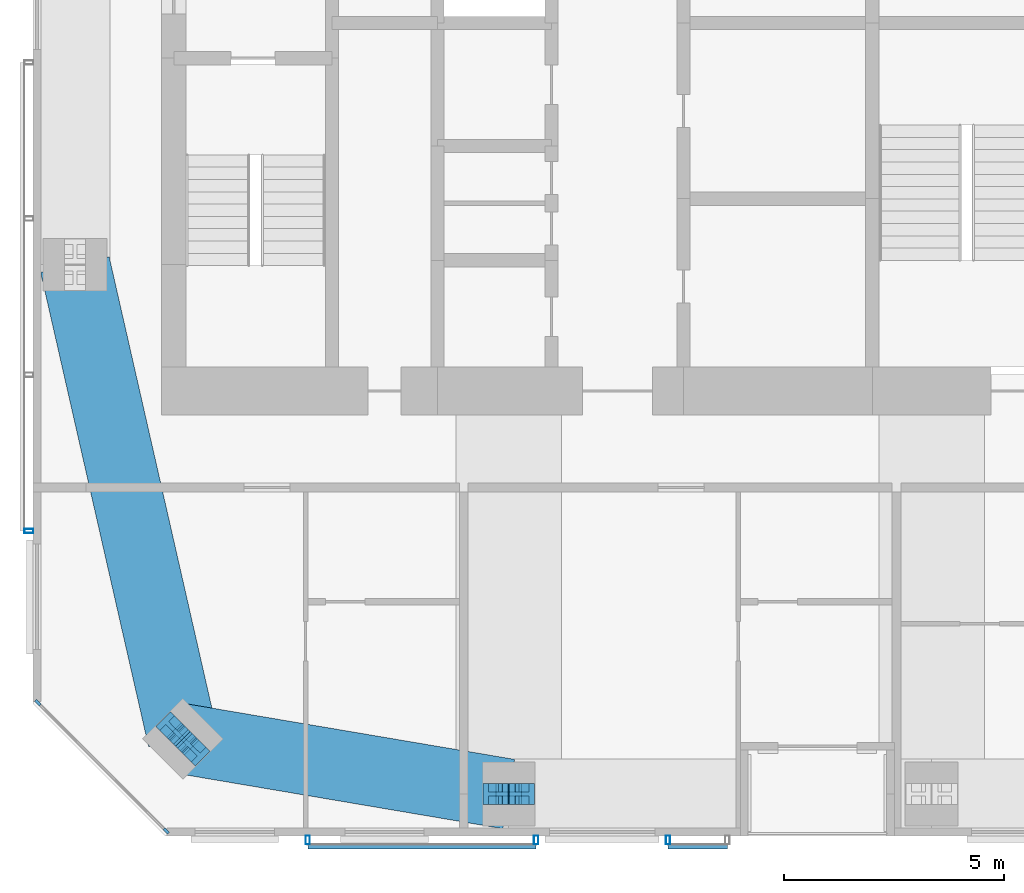
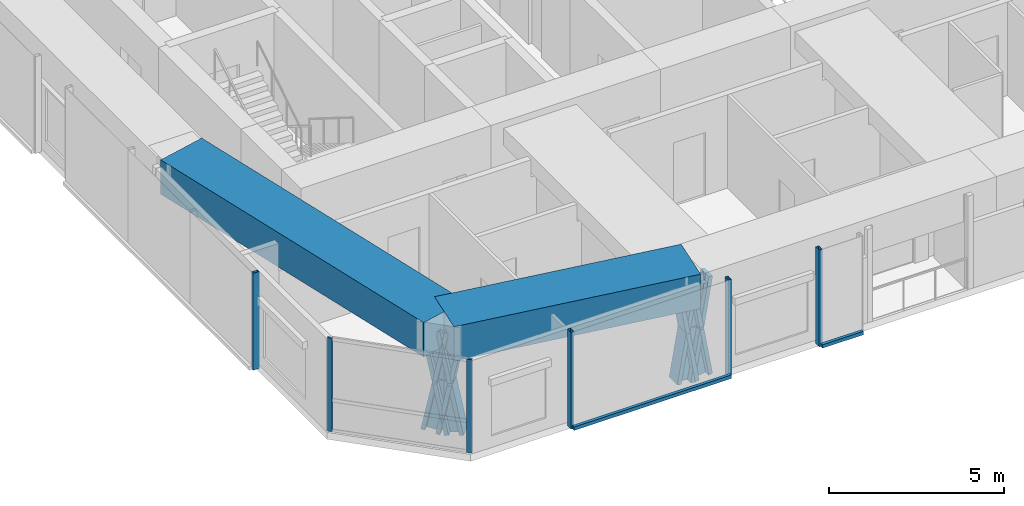
# One storey, part 2 of 20: 16 members, 2 beams, 4 elements without a shape of their own.
"""IFC4 building model written with IfcOpenShell, lengths in metres."""

from ifc_helpers import new_model, si_unit, direction, frame, origin, origin_2d, place, context, subcontext, project, spatial, rectangle, hollow_rectangle, i_section, extrude, material, material_profile, profile_set, type_object, element, aggregate, save


model = new_model("IFC4")

# Units and contexts
model_context = context("Model", 3, precision=1e-05, world=origin(), true_north=direction((0.0, 1.0)))
body_context = subcontext(model_context, "Body", "Model", "MODEL_VIEW")
ifc_project = project(units=[si_unit("LENGTHUNIT", "METRE"), si_unit("AREAUNIT", "SQUARE_METRE"), si_unit("VOLUMEUNIT", "CUBIC_METRE"), si_unit("PLANEANGLEUNIT", "RADIAN"), si_unit("MASSUNIT", "GRAM", prefix="KILO")], contexts=[model_context])

# Site, building, storey
site_placement = place(None, origin())
site = spatial("IfcSite", under=ifc_project, at=site_placement, CompositionType="ELEMENT")
building_placement = place(site_placement, origin())
building = spatial("IfcBuilding", under=site, at=building_placement, Name="Jalousie Tower", CompositionType="ELEMENT")
storey_placement = place(building_placement, frame((0.0, 0.0, 242.449951171875)))
storey = spatial("IfcBuildingStorey", under=building, at=storey_placement, Name="L66", CompositionType="ELEMENT", Elevation=242.449951171875)

# Curtain wall, members
ifc_material_1 = material(Name="Aluminium curtain wall", Category="aluminium")
curtain_wall_type_1 = type_object("IfcCurtainWallType", Name="CORNER WINDOW WALL", PredefinedType="USERDEFINED", material=ifc_material_1)
curtain_wall_1_placement = place(storey_placement, origin())
curtain_wall_1 = element("IfcCurtainWall", 1, at=curtain_wall_1_placement, inside=storey, type_object=curtain_wall_type_1, Name="Corner Window Wall L66 8", ObjectType="CORNER WINDOW WALL", PredefinedType="USERDEFINED")
ifc_material_2 = material(Name="Aluminium mullion", Category="aluminium")
ifc_material_profile_1 = material_profile(ifc_material_2, rectangle(XDim=0.06005859375, YDim=0.14990234375, at=origin_2d()), Name="MULLION 60x150")
ifc_profile_set_1 = profile_set([ifc_material_profile_1], Name="Aluminium mullion")
member_type_1 = type_object("IfcMemberType", Name="CORNER WINDOW WALL MULLION", PredefinedType="MULLION", material=ifc_profile_set_1)
member_1_placement = place(storey_placement, frame((16.90869140625, 3.030029296875, 0.0), z_axis=(0.0, 0.0, 1.0), x_axis=(0.707106781187, 0.707106781187, 0.0)))
member_1 = element("IfcMember", 2, at=member_1_placement, type_object=member_type_1, Name="CW-C mullion 1", PredefinedType="MULLION", context=body_context, shape_type="SweptSolid", body=[
    extrude(rectangle(XDim=0.06005859375, YDim=0.14990234375, at=origin_2d()), origin(), (0.0, 0.0, 1.0), 3.260009765625),
])
member_2_placement = place(storey_placement, frame((19.830078125, 0.108642578125, 0.0), z_axis=(0.0, 0.0, 1.0), x_axis=(0.707106781187, 0.707106781187, 0.0)))
member_2 = element("IfcMember", 3, at=member_2_placement, type_object=member_type_1, Name="CW-C mullion 2", PredefinedType="MULLION", context=body_context, shape_type="SweptSolid", body=[
    extrude(rectangle(XDim=0.06005859375, YDim=0.14990234375, at=origin_2d()), origin(), (0.0, 0.0, 1.0), 3.260009765625),
])
aggregate(curtain_wall_1, [member_1, member_2])

# Members
ifc_material_3 = material(Name="Steel ASTM A992 Grade 50", Category="steel")
ifc_material_profile_2 = material_profile(ifc_material_3, i_section(OverallWidth=0.472412109375, OverallDepth=0.5791015625, WebThickness=0.094970703125, FlangeThickness=0.1298828125, at=origin_2d()), Name="W14X808")
ifc_profile_set_2 = profile_set([ifc_material_profile_2], Name="Steel ASTM A992 Grade 50")
member_type_2 = type_object("IfcMemberType", Name="PERIMETER BRACE W14X808", PredefinedType="BRACE", material=ifc_profile_set_2)
for number, where, z_axis, x_axis, name in (
    (4, (19.959716796875, 2.45458984375, -0.599853515625), (0.138579250682, -0.138716051522, 0.980588419435), (0.707455539091, 0.706757851183, 0.0), "Perimeter brace 01 L66 part 1"),
    (5, (20.20703125, 2.20703125, 1.150146484375), (0.138716051522, -0.138579250682, 0.980588419435), (0.706757851183, 0.707455539091, 0.0), "Perimeter brace 01 L66 part 2"),
    (6, (20.45458984375, 1.959716796875, -0.599853515625), (-0.138716051522, 0.138579250682, 0.980588419435), (-0.706757851183, -0.707455539091, 0.0), "Perimeter brace 01 L66 part 3"),
    (7, (20.20703125, 2.20703125, 1.150146484375), (-0.138579250682, 0.138716051522, 0.980588419435), (-0.707455539091, -0.706757851183, 0.0), "Perimeter brace 01 L66 part 4"),
):
    element("IfcMember", number, at=place(storey_placement, frame(where, z_axis=z_axis, x_axis=x_axis)), inside=storey, type_object=member_type_2, Name=name, PredefinedType="BRACE", context=body_context, shape_type="SweptSolid", body=[
        extrude(i_section(OverallWidth=0.472412109375, OverallDepth=0.5791015625, WebThickness=0.094970703125, FlangeThickness=0.1298828125, at=origin_2d()), origin(), (0.0, 0.0, 1.0), 1.78466796875),
    ])
for number, where, z_axis, x_axis, name in (
    (8, (27.324951171875, 0.949951171875, -0.599853515625), (0.168990530437, 0.0, 0.98561767467), (0.0, 1.0, 0.0), "Perimeter brace 02 L66 part 1"),
    (9, (27.625, 0.949951171875, 1.150146484375), (0.168990530437, 0.0, 0.98561767467), (0.0, 1.0, 0.0), "Perimeter brace 02 L66 part 2"),
    (10, (27.925048828125, 0.949951171875, -0.599853515625), (-0.168990530437, 0.0, 0.98561767467), (0.0, -1.0, 0.0), "Perimeter brace 02 L66 part 3"),
    (11, (27.625, 0.949951171875, 1.150146484375), (-0.168990530437, 0.0, 0.98561767467), (0.0, -1.0, 0.0), "Perimeter brace 02 L66 part 4"),
):
    element("IfcMember", number, at=place(storey_placement, frame(where, z_axis=z_axis, x_axis=x_axis)), inside=storey, type_object=member_type_2, Name=name, PredefinedType="BRACE", context=body_context, shape_type="SweptSolid", body=[
        extrude(i_section(OverallWidth=0.472412109375, OverallDepth=0.5791015625, WebThickness=0.094970703125, FlangeThickness=0.1298828125, at=origin_2d()), origin(), (0.0, 0.0, 1.0), 1.775634765625),
    ])

# Beams
ifc_material_4 = material(Name="Concrete f'c 40 MPa", Category="concrete")
ifc_material_profile_3 = material_profile(ifc_material_4, rectangle(XDim=1.60009765625, YDim=1.199951171875, at=origin_2d()), Name="RC 1600x1200")
ifc_profile_set_3 = profile_set([ifc_material_profile_3], Name="Concrete f'c 40 MPa")
beam_type = type_object("IfcBeamType", Name="RC BEAM 1600x1200", PredefinedType="BEAM", material=ifc_profile_set_3)
beam_1_placement = place(storey_placement, frame((20.20703125, 2.20703125, 2.900146484375), z_axis=(0.985942997446, -0.167082033105, 0.0), x_axis=(0.167082033105, 0.985942997446, 0.0)))
element("IfcBeam", 12, at=beam_1_placement, inside=storey, type_object=beam_type, Name="Edge band beam 01-02 under L67", PredefinedType="BEAM", context=body_context, shape_type="SweptSolid", body=[
    extrude(rectangle(XDim=1.60009765625, YDim=1.199951171875, at=origin_2d()), origin(), (0.0, 0.0, 1.0), 7.523681640625),
])
beam_2_placement = place(storey_placement, frame((17.75, 13.0, 2.900146484375), z_axis=(0.221971905818, -0.975053061647, 0.0), x_axis=(0.975053061647, 0.221971905818, 0.0)))
element("IfcBeam", 13, at=beam_2_placement, inside=storey, type_object=beam_type, Name="Edge band beam 14-01 under L67", PredefinedType="BEAM", context=body_context, shape_type="SweptSolid", body=[
    extrude(rectangle(XDim=1.60009765625, YDim=1.199951171875, at=origin_2d()), origin(), (0.0, 0.0, 1.0), 11.069091796875),
])

# Curtain wall, members
ifc_material_5 = material(Name="Perforated aluminium sheet", Category="aluminium")
curtain_wall_type_2 = type_object("IfcCurtainWallType", Name="SOLAR SCREEN SS-2", PredefinedType="USERDEFINED", material=ifc_material_5)
curtain_wall_2_placement = place(storey_placement, origin())
curtain_wall_2 = element("IfcCurtainWall", 14, at=curtain_wall_2_placement, inside=storey, type_object=curtain_wall_type_2, Name="Solar screen L66", ObjectType="SOLAR SCREEN SS-2", PredefinedType="USERDEFINED")
ifc_material_6 = material(Name="Steel ASTM A500 Grade C", Category="steel")
ifc_material_profile_4 = material_profile(ifc_material_6, hollow_rectangle(XDim=0.1015625, YDim=0.203125, WallThickness=0.0078125, at=origin_2d()), Name="HSS8X4X5/16")
ifc_profile_set_4 = profile_set([ifc_material_profile_4], Name="Steel ASTM A500 Grade C")
member_type_3 = type_object("IfcMemberType", Name="SOLAR SCREEN SS-2 MULLION", PredefinedType="MULLION", material=ifc_profile_set_4)
member_3_placement = place(storey_placement, frame((23.050048828125, -0.0966796875, -0.119873046875), z_axis=(0.0, 0.0, 1.0), x_axis=(1.0, 0.0, 0.0)))
member_3 = element("IfcMember", 15, at=member_3_placement, type_object=member_type_3, Name="SS2 post 1", PredefinedType="MULLION", context=body_context, shape_type="SweptSolid", body=[
    extrude(hollow_rectangle(XDim=0.1015625, YDim=0.203125, WallThickness=0.0078125, at=origin_2d()), origin(), (0.0, 0.0, 1.0), 3.3798828125),
])
member_4_placement = place(storey_placement, frame((28.25, -0.0966796875, -0.119873046875), z_axis=(0.0, 0.0, 1.0), x_axis=(1.0, 0.0, 0.0)))
member_4 = element("IfcMember", 16, at=member_4_placement, type_object=member_type_3, Name="SS2 post 2", PredefinedType="MULLION", context=body_context, shape_type="SweptSolid", body=[
    extrude(hollow_rectangle(XDim=0.1015625, YDim=0.203125, WallThickness=0.0078125, at=origin_2d()), origin(), (0.0, 0.0, 1.0), 3.3798828125),
])

# Curtain wall, member
curtain_wall_3_placement = place(storey_placement, origin())
curtain_wall_3 = element("IfcCurtainWall", 17, at=curtain_wall_3_placement, inside=storey, type_object=curtain_wall_type_2, Name="Solar screen L66", ObjectType="SOLAR SCREEN SS-2", PredefinedType="USERDEFINED")
member_5_placement = place(storey_placement, frame((31.25, -0.0966796875, -0.119873046875), z_axis=(0.0, 0.0, 1.0), x_axis=(1.0, 0.0, 0.0)))
member_5 = element("IfcMember", 18, at=member_5_placement, type_object=member_type_3, Name="SS2 post 1", PredefinedType="MULLION", context=body_context, shape_type="SweptSolid", body=[
    extrude(hollow_rectangle(XDim=0.1015625, YDim=0.203125, WallThickness=0.0078125, at=origin_2d()), origin(), (0.0, 0.0, 1.0), 3.3798828125),
])

curtain_wall_4_placement = place(storey_placement, origin())
curtain_wall_4 = element("IfcCurtainWall", 19, at=curtain_wall_4_placement, inside=storey, type_object=curtain_wall_type_2, Name="Solar screen L66", ObjectType="SOLAR SCREEN SS-2", PredefinedType="USERDEFINED")
member_6_placement = place(storey_placement, frame((16.703369140625, 6.93798828125, -0.119873046875), z_axis=(0.0, 0.0, 1.0), x_axis=(0.0, -1.0, 0.0)))
member_6 = element("IfcMember", 20, at=member_6_placement, type_object=member_type_3, Name="SS2 post 4", PredefinedType="MULLION", context=body_context, shape_type="SweptSolid", body=[
    extrude(hollow_rectangle(XDim=0.1015625, YDim=0.203125, WallThickness=0.0078125, at=origin_2d()), origin(), (0.0, 0.0, 1.0), 3.3798828125),
])
aggregate(curtain_wall_4, [member_6])

# Member
ifc_material_7 = material(Name="Extruded aluminium screen rail", Category="aluminium")
ifc_material_profile_5 = material_profile(ifc_material_7, rectangle(XDim=0.1015625, YDim=0.1201171875, at=origin_2d()), Name="RAIL 102x120")
ifc_profile_set_5 = profile_set([ifc_material_profile_5], Name="Extruded aluminium screen rail")
member_type_4 = type_object("IfcMemberType", Name="SOLAR SCREEN SS-2 TRANSOM", PredefinedType="USERDEFINED", material=ifc_profile_set_5)
member_7_placement = place(storey_placement, frame((23.050048828125, -0.2490234375, -0.06005859375), z_axis=(1.0, 0.0, 0.0), x_axis=(0.0, 1.0, 0.0)))
member_7 = element("IfcMember", 21, at=member_7_placement, type_object=member_type_4, Name="SS2 rail", ObjectType="TRANSOM", PredefinedType="USERDEFINED", context=body_context, shape_type="SweptSolid", body=[
    extrude(rectangle(XDim=0.1015625, YDim=0.1201171875, at=origin_2d()), origin(), (0.0, 0.0, 1.0), 5.199951171875),
])

aggregate(curtain_wall_2, [member_3, member_4, member_7])

member_8_placement = place(storey_placement, frame((31.25, -0.2490234375, -0.06005859375), z_axis=(1.0, 0.0, 0.0), x_axis=(0.0, 1.0, 0.0)))
member_8 = element("IfcMember", 22, at=member_8_placement, type_object=member_type_4, Name="SS2 rail", ObjectType="TRANSOM", PredefinedType="USERDEFINED", context=body_context, shape_type="SweptSolid", body=[
    extrude(rectangle(XDim=0.1015625, YDim=0.1201171875, at=origin_2d()), origin(), (0.0, 0.0, 1.0), 1.35009765625),
])

aggregate(curtain_wall_3, [member_5, member_8])

save(model, "model.ifc")
